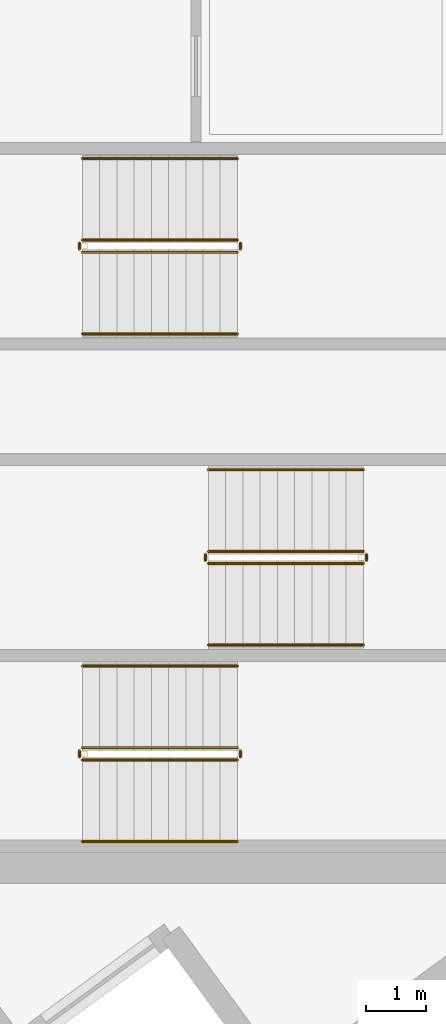
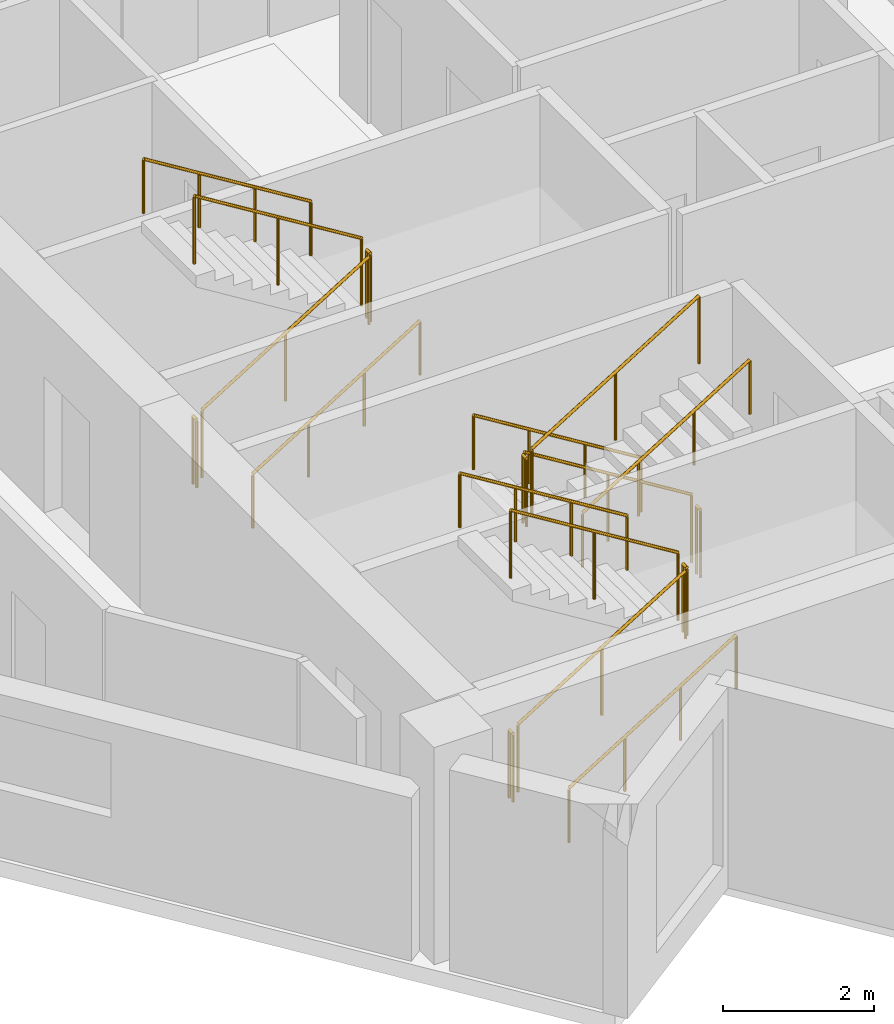
# One storey, part 13 of 14: 18 railings.
"""IFC4 building model written with IfcOpenShell, lengths in metres."""

import ifcopenshell
import ifcopenshell.guid

model = None  # the IFC model being written
_history = None  # IfcOwnerHistory: only IFC2X3 demands one
_inside = {}  # id of a spatial element -> (the spatial element, [elements in it])
_under = {}  # id of a project, library or spatial element -> (it, [spatial elements below it])
_declared = {}  # id of a project -> (the project, [libraries it declares])
_typed = {}  # id of a type object -> (the type object, [elements of that type])
_made_of = {}  # id of a material, layer set ... -> (it, [elements and type objects made of it])


def new_model(schema):
    """Start an empty IFC model of exactly this schema.

    Asked for "IFC4X3", IfcOpenShell would pick the latest addendum, in which some entities
    have other attributes; the version numbers below select the first issue.
    IFC2X3 requires an IfcOwnerHistory on every rooted entity: one is made here for all.
    """
    global model, _history
    if schema == "IFC4X3":
        model = ifcopenshell.file(schema_version=(4, 3, 0, 0))
    else:
        model = ifcopenshell.file(schema=schema)
    _inside.clear()
    _under.clear()
    _declared.clear()
    _typed.clear()
    _made_of.clear()
    _history = None
    if model.schema == "IFC2X3":
        org = make("IfcOrganization", Name="unknown")
        user = make(
            "IfcPersonAndOrganization",
            ThePerson=make("IfcPerson", FamilyName="unknown"),
            TheOrganization=org,
        )
        app = make(
            "IfcApplication",
            ApplicationDeveloper=org,
            Version="unknown",
            ApplicationFullName="unknown",
            ApplicationIdentifier="unknown",
        )
        _history = make(
            "IfcOwnerHistory",
            OwningUser=user,
            OwningApplication=app,
            ChangeAction="ADDED",
            CreationDate=0,
        )
    return model


def make(cls, **values):
    """One entity of the class cls with the attributes given. An attribute that is None is left unset."""
    return model.create_entity(
        cls, **{name: value for name, value in values.items() if value is not None}
    )


def rooted(cls, **values):
    """An entity with a GlobalId (a new one), such as an element, a storey or a relation."""
    return make(cls, GlobalId=ifcopenshell.guid.new(), OwnerHistory=_history, **values)


def si_unit(unit_type, name, prefix=None):
    """IfcSIUnit, for example si_unit("LENGTHUNIT", "METRE", prefix="MILLI")."""
    return make("IfcSIUnit", UnitType=unit_type, Prefix=prefix, Name=name)


def assignment(units):
    """IfcUnitAssignment: the units of a project."""
    return None if units is None else make("IfcUnitAssignment", Units=units)


def point(xyz):
    """IfcCartesianPoint."""
    return None if xyz is None else make("IfcCartesianPoint", Coordinates=xyz)


def direction(xyz):
    """IfcDirection."""
    return None if xyz is None else make("IfcDirection", DirectionRatios=xyz)


def frame(location, z_axis=None, x_axis=None):
    """IfcAxis2Placement3D, a coordinate frame: its origin and axes. An axis left out is left unset."""
    return make(
        "IfcAxis2Placement3D",
        Location=point(location),
        Axis=direction(z_axis),
        RefDirection=direction(x_axis),
    )


def frame_2d(location, x_axis=None):
    """IfcAxis2Placement2D, a coordinate frame in the plane: its origin and x axis."""
    return make(
        "IfcAxis2Placement2D", Location=point(location), RefDirection=direction(x_axis)
    )


def origin():
    """The frame at (0, 0, 0) with its axes left unset."""
    return frame((0.0, 0.0, 0.0))


def origin_2d():
    """The frame at (0, 0) in the plane with its x axis left unset."""
    return frame_2d((0.0, 0.0))


def place(relative_to, where):
    """IfcLocalPlacement: puts the frame where relative to a parent placement (None: the world)."""
    return make(
        "IfcLocalPlacement", PlacementRelTo=relative_to, RelativePlacement=where
    )


def context(
    kind, dimensions, precision=None, world=None, true_north=None, identifier=None
):
    """IfcGeometricRepresentationContext, for example the 3D "Model" context."""
    return make(
        "IfcGeometricRepresentationContext",
        ContextIdentifier=identifier,
        ContextType=kind,
        CoordinateSpaceDimension=dimensions,
        Precision=precision,
        WorldCoordinateSystem=world,
        TrueNorth=true_north,
    )


def subcontext(parent, identifier, kind, view, scale=None):
    """IfcGeometricRepresentationSubContext, for example "Body" below "Model"."""
    return make(
        "IfcGeometricRepresentationSubContext",
        ContextIdentifier=identifier,
        ContextType=kind,
        ParentContext=parent,
        TargetScale=scale,
        TargetView=view,
    )


def project(units=None, contexts=None):
    """IfcProject with its units and contexts."""
    return rooted(
        "IfcProject",
        Name="project",
        RepresentationContexts=contexts,
        UnitsInContext=assignment(units),
    )


def spatial(cls, under=None, at=None, **own):
    """A site, building, storey or space (cls), placed at a placement, below another one or the project."""
    s = rooted(cls, ObjectPlacement=at, **own)
    if under is not None:
        _under.setdefault(under.id(), (under, []))[1].append(s)
    return s


def profile(cls, at=None, kind="AREA", **sizes):
    """A parametric profile (cls). Its sizes go by their IFC names, for example OverallWidth=200.0."""
    return make(cls, ProfileType=kind, Position=at, **sizes)


def circle(**sizes):
    """IfcCircleProfileDef."""
    return profile("IfcCircleProfileDef", **sizes)


def extrude(swept, where, along, depth):
    """IfcExtrudedAreaSolid: the profile swept, set in the frame where, extruded along a direction by depth."""
    return make(
        "IfcExtrudedAreaSolid",
        SweptArea=swept,
        Position=where,
        ExtrudedDirection=direction(along),
        Depth=depth,
    )


def shape(context_of_items, identifier, shape_type, items):
    """IfcShapeRepresentation: the items that make up one representation, for example the "Body"."""
    return make(
        "IfcShapeRepresentation",
        ContextOfItems=context_of_items,
        RepresentationIdentifier=identifier,
        RepresentationType=shape_type,
        Items=items,
    )


def material(Name=None, Category=None):
    """IfcMaterial."""
    return make("IfcMaterial", Name=Name, Category=Category)


def made_of(thing, what):
    """Note that an element or type object is made of a material, layer set ...; save() writes the relation."""
    if what is not None:
        _made_of.setdefault(what.id(), (what, []))[1].append(thing)
    return thing


def type_object(cls, material=None, **own):
    """A type object (cls), such as IfcWallType, which elements share."""
    return made_of(rooted(cls, **own), material)


def element(
    cls,
    number,
    at=None,
    inside=None,
    cuts=None,
    type_object=None,
    material=None,
    context=None,
    identifier="Body",
    shape_type=None,
    held_by="IfcProductDefinitionShape",
    body=None,
    shapes=None,
    **own,
):
    """One element of the class cls, such as IfcWall. Its Tag is "e" and its number.

    at: its placement. inside: the storey or other place that contains it. cuts: it is an
    opening in that element (IfcRelVoidsElement). A single representation is given by context,
    identifier, shape_type and body (its items); several are given by shapes. held_by: the class
    of the entity that holds the representations. save() writes the other relations.
    """
    e = rooted(cls, Tag="e%d" % number, ObjectPlacement=at, **own)
    if body is not None:
        shapes = [shape(context, identifier, shape_type, body)]
    if shapes is not None:
        e.Representation = make(held_by, Representations=shapes)
    if inside is not None:
        _inside.setdefault(inside.id(), (inside, []))[1].append(e)
    if cuts is not None:
        rooted(
            "IfcRelVoidsElement", RelatingBuildingElement=cuts, RelatedOpeningElement=e
        )
    if type_object is not None:
        _typed.setdefault(type_object.id(), (type_object, []))[1].append(e)
    return made_of(e, material)


def aggregate(whole, parts):
    """IfcRelAggregates: a whole, such as a stair, and the parts it consists of."""
    return rooted("IfcRelAggregates", RelatingObject=whole, RelatedObjects=parts)


def save(model, path):
    """Write the relations noted so far, then the file.

    IfcRelAggregates (storeys below a building ...), IfcRelContainedInSpatialStructure (elements
    in a storey), IfcRelDefinesByType, IfcRelAssociatesMaterial and IfcRelDeclares: one each for
    every whole, place, type object, material and project.
    """
    for whole, parts in _under.values():
        aggregate(whole, parts)
    for where, things in _inside.values():
        rooted(
            "IfcRelContainedInSpatialStructure",
            RelatedElements=things,
            RelatingStructure=where,
        )
    for kind, things in _typed.values():
        rooted("IfcRelDefinesByType", RelatedObjects=things, RelatingType=kind)
    for what, things in _made_of.values():
        rooted("IfcRelAssociatesMaterial", RelatedObjects=things, RelatingMaterial=what)
    for by, libraries in _declared.values():
        rooted("IfcRelDeclares", RelatingContext=by, RelatedDefinitions=libraries)
    model.write(path)


model = new_model("IFC4")

# Units and contexts
model_context = context("Model", 3, precision=1e-05, world=origin(), true_north=direction((0.0, 1.0)))
body_context = subcontext(model_context, "Body", "Model", "MODEL_VIEW")
ifc_project = project(units=[si_unit("LENGTHUNIT", "METRE"), si_unit("AREAUNIT", "SQUARE_METRE"), si_unit("VOLUMEUNIT", "CUBIC_METRE"), si_unit("PLANEANGLEUNIT", "RADIAN"), si_unit("MASSUNIT", "GRAM", prefix="KILO")], contexts=[model_context])

# Site, building, storey
site_placement = place(None, origin())
site = spatial("IfcSite", under=ifc_project, at=site_placement, CompositionType="ELEMENT")
building_placement = place(site_placement, origin())
building = spatial("IfcBuilding", under=site, at=building_placement, Name="Narakoshi Arena Tower", CompositionType="ELEMENT")
storey_placement = place(building_placement, frame((0.0, 0.0, 236.10009765625)))
storey = spatial("IfcBuildingStorey", under=building, at=storey_placement, Name="L64", CompositionType="ELEMENT", Elevation=236.10009765625)

# Railings
ifc_material_1 = material(Name="Clear low-iron laminated structural glass", Category="glass")
railing_type_1 = type_object("IfcRailingType", Name="RL-BAL-1100", PredefinedType="BALUSTRADE", material=ifc_material_1)
railing_1_placement = place(storey_placement, frame((74.39990234375, 36.949951171875, 0.17578125)))
element("IfcRailing", 1, at=railing_1_placement, inside=storey, type_object=railing_type_1, Name="L64 ST1 stair guard 1", PredefinedType="BALUSTRADE", context=body_context, shape_type="SweptSolid", body=[
    extrude(circle(Radius=0.02392578125, at=origin_2d()), frame((0.0, 0.0, 1.09619140625), z_axis=(0.850820357671, 0.0, 0.52545667659), x_axis=(0.0, 1.0, 0.0)), (0.0, 0.0, 1.0), 3.014892578125),
    extrude(circle(Radius=0.02099609375, at=origin_2d()), origin(), (0.0, 0.0, 1.0), 1.072021484375),
    extrude(circle(Radius=0.02099609375, at=origin_2d()), frame((1.28271484375, 0.0, 0.7919921875)), (0.0, 0.0, 1.0), 1.072021484375),
    extrude(circle(Radius=0.02099609375, at=origin_2d()), frame((2.565185546875, 0.0, 1.584228515625)), (0.0, 0.0, 1.0), 1.072021484375),
])
railing_2_placement = place(storey_placement, frame((77.014892578125, 37.0, 1.760009765625)))
element("IfcRailing", 2, at=railing_2_placement, inside=storey, type_object=railing_type_1, Name="L64 ST1 stair guard 2", PredefinedType="BALUSTRADE", context=body_context, shape_type="SweptSolid", body=[
    extrude(circle(Radius=0.02392578125, at=origin_2d()), frame((0.0, 0.0, 1.09619140625), z_axis=(0.0, 1.0, 0.0), x_axis=(-1.0, 0.0, 0.0)), (0.0, 0.0, 1.0), 0.10009765625),
    extrude(circle(Radius=0.02099609375, at=origin_2d()), origin(), (0.0, 0.0, 1.0), 1.072021484375),
    extrude(circle(Radius=0.02099609375, at=origin_2d()), frame((0.0, 0.10009765625, 0.0)), (0.0, 0.0, 1.0), 1.072021484375),
])
railing_3_placement = place(storey_placement, frame((76.965087890625, 37.14990234375, 1.935791015625)))
element("IfcRailing", 3, at=railing_3_placement, inside=storey, type_object=railing_type_1, Name="L64 ST1 stair guard 3", PredefinedType="BALUSTRADE", context=body_context, shape_type="SweptSolid", body=[
    extrude(circle(Radius=0.02392578125, at=origin_2d()), frame((0.0, 0.0, 1.09619140625), z_axis=(-0.850820357671, 0.0, 0.52545667659), x_axis=(0.0, -1.0, 0.0)), (0.0, 0.0, 1.0), 3.014892578125),
    extrude(circle(Radius=0.02099609375, at=origin_2d()), origin(), (0.0, 0.0, 1.0), 1.072021484375),
    extrude(circle(Radius=0.02099609375, at=origin_2d()), frame((-1.28271484375, 0.0, 0.7919921875)), (0.0, 0.0, 1.0), 1.072021484375),
    extrude(circle(Radius=0.02099609375, at=origin_2d()), frame((-2.565185546875, 0.0, 1.584228515625)), (0.0, 0.0, 1.0), 1.072021484375),
])
railing_4_placement = place(storey_placement, frame((74.35009765625, 37.0, 0.0)))
element("IfcRailing", 4, at=railing_4_placement, inside=storey, type_object=railing_type_1, Name="L64 ST1 stair guard 4", PredefinedType="BALUSTRADE", context=body_context, shape_type="SweptSolid", body=[
    extrude(circle(Radius=0.02392578125, at=origin_2d()), frame((0.0, 0.0, 1.09619140625), z_axis=(0.0, 1.0, 0.0), x_axis=(-1.0, 0.0, 0.0)), (0.0, 0.0, 1.0), 0.10009765625),
    extrude(circle(Radius=0.02099609375, at=origin_2d()), origin(), (0.0, 0.0, 1.0), 1.072021484375),
    extrude(circle(Radius=0.02099609375, at=origin_2d()), frame((0.0, 0.10009765625, 0.0)), (0.0, 0.0, 1.0), 1.072021484375),
])
railing_5_placement = place(storey_placement, frame((79.050048828125, 40.39990234375, 0.17578125)))
element("IfcRailing", 5, at=railing_5_placement, inside=storey, type_object=railing_type_1, Name="L64 ST2 stair guard 1", PredefinedType="BALUSTRADE", context=body_context, shape_type="SweptSolid", body=[
    extrude(circle(Radius=0.02392578125, at=origin_2d()), frame((0.0, 0.0, 1.09619140625), z_axis=(-0.850797997359, 0.0, 0.525492880722), x_axis=(0.0, -1.0, 0.0)), (0.0, 0.0, 1.0), 3.0146484375),
    extrude(circle(Radius=0.02099609375, at=origin_2d()), origin(), (0.0, 0.0, 1.0), 1.072021484375),
    extrude(circle(Radius=0.02099609375, at=origin_2d()), frame((-1.282470703125, 0.0, 0.7919921875)), (0.0, 0.0, 1.0), 1.072021484375),
    extrude(circle(Radius=0.02099609375, at=origin_2d()), frame((-2.56494140625, 0.0, 1.584228515625)), (0.0, 0.0, 1.0), 1.072021484375),
])
railing_6_placement = place(storey_placement, frame((76.43505859375, 40.35009765625, 1.760009765625)))
element("IfcRailing", 6, at=railing_6_placement, inside=storey, type_object=railing_type_1, Name="L64 ST2 stair guard 2", PredefinedType="BALUSTRADE", context=body_context, shape_type="SweptSolid", body=[
    extrude(circle(Radius=0.02392578125, at=origin_2d()), frame((0.0, 0.0, 1.09619140625), z_axis=(0.0, -1.0, 0.0), x_axis=(1.0, 0.0, 0.0)), (0.0, 0.0, 1.0), 0.10009765625),
    extrude(circle(Radius=0.02099609375, at=origin_2d()), origin(), (0.0, 0.0, 1.0), 1.072021484375),
    extrude(circle(Radius=0.02099609375, at=origin_2d()), frame((0.0, -0.10009765625, 0.0)), (0.0, 0.0, 1.0), 1.072021484375),
])
railing_7_placement = place(storey_placement, frame((76.485107421875, 40.199951171875, 1.935791015625)))
element("IfcRailing", 7, at=railing_7_placement, inside=storey, type_object=railing_type_1, Name="L64 ST2 stair guard 3", PredefinedType="BALUSTRADE", context=body_context, shape_type="SweptSolid", body=[
    extrude(circle(Radius=0.02392578125, at=origin_2d()), frame((0.0, 0.0, 1.09619140625), z_axis=(0.850797997359, 0.0, 0.525492880722), x_axis=(0.0, 1.0, 0.0)), (0.0, 0.0, 1.0), 3.0146484375),
    extrude(circle(Radius=0.02099609375, at=origin_2d()), origin(), (0.0, 0.0, 1.0), 1.072021484375),
    extrude(circle(Radius=0.02099609375, at=origin_2d()), frame((1.282470703125, 0.0, 0.7919921875)), (0.0, 0.0, 1.0), 1.072021484375),
    extrude(circle(Radius=0.02099609375, at=origin_2d()), frame((2.56494140625, 0.0, 1.584228515625)), (0.0, 0.0, 1.0), 1.072021484375),
])
railing_8_placement = place(storey_placement, frame((79.10009765625, 40.35009765625, 0.0)))
element("IfcRailing", 8, at=railing_8_placement, inside=storey, type_object=railing_type_1, Name="L64 ST2 stair guard 4", PredefinedType="BALUSTRADE", context=body_context, shape_type="SweptSolid", body=[
    extrude(circle(Radius=0.02392578125, at=origin_2d()), frame((0.0, 0.0, 1.09619140625), z_axis=(0.0, -1.0, 0.0), x_axis=(1.0, 0.0, 0.0)), (0.0, 0.0, 1.0), 0.10009765625),
    extrude(circle(Radius=0.02099609375, at=origin_2d()), origin(), (0.0, 0.0, 1.0), 1.072021484375),
    extrude(circle(Radius=0.02099609375, at=origin_2d()), frame((0.0, -0.10009765625, 0.0)), (0.0, 0.0, 1.0), 1.072021484375),
])
railing_9_placement = place(storey_placement, frame((74.39990234375, 45.35009765625, 0.17578125)))
element("IfcRailing", 9, at=railing_9_placement, inside=storey, type_object=railing_type_1, Name="L64 ST3 stair guard 1", PredefinedType="BALUSTRADE", context=body_context, shape_type="SweptSolid", body=[
    extrude(circle(Radius=0.02392578125, at=origin_2d()), frame((0.0, 0.0, 1.09619140625), z_axis=(0.850820357671, 0.0, 0.52545667659), x_axis=(0.0, 1.0, 0.0)), (0.0, 0.0, 1.0), 3.014892578125),
    extrude(circle(Radius=0.02099609375, at=origin_2d()), origin(), (0.0, 0.0, 1.0), 1.072021484375),
    extrude(circle(Radius=0.02099609375, at=origin_2d()), frame((1.28271484375, 0.0, 0.7919921875)), (0.0, 0.0, 1.0), 1.072021484375),
    extrude(circle(Radius=0.02099609375, at=origin_2d()), frame((2.565185546875, 0.0, 1.584228515625)), (0.0, 0.0, 1.0), 1.072021484375),
])
railing_10_placement = place(storey_placement, frame((77.014892578125, 45.39990234375, 1.760009765625)))
element("IfcRailing", 10, at=railing_10_placement, inside=storey, type_object=railing_type_1, Name="L64 ST3 stair guard 2", PredefinedType="BALUSTRADE", context=body_context, shape_type="SweptSolid", body=[
    extrude(circle(Radius=0.02392578125, at=origin_2d()), frame((0.0, 0.0, 1.09619140625), z_axis=(0.0, 1.0, 0.0), x_axis=(-1.0, 0.0, 0.0)), (0.0, 0.0, 1.0), 0.10009765625),
    extrude(circle(Radius=0.02099609375, at=origin_2d()), origin(), (0.0, 0.0, 1.0), 1.072021484375),
    extrude(circle(Radius=0.02099609375, at=origin_2d()), frame((0.0, 0.10009765625, 0.0)), (0.0, 0.0, 1.0), 1.072021484375),
])
railing_11_placement = place(storey_placement, frame((76.965087890625, 45.550048828125, 1.935791015625)))
element("IfcRailing", 11, at=railing_11_placement, inside=storey, type_object=railing_type_1, Name="L64 ST3 stair guard 3", PredefinedType="BALUSTRADE", context=body_context, shape_type="SweptSolid", body=[
    extrude(circle(Radius=0.02392578125, at=origin_2d()), frame((0.0, 0.0, 1.09619140625), z_axis=(-0.850820357671, 0.0, 0.52545667659), x_axis=(0.0, -1.0, 0.0)), (0.0, 0.0, 1.0), 3.014892578125),
    extrude(circle(Radius=0.02099609375, at=origin_2d()), origin(), (0.0, 0.0, 1.0), 1.072021484375),
    extrude(circle(Radius=0.02099609375, at=origin_2d()), frame((-1.28271484375, 0.0, 0.7919921875)), (0.0, 0.0, 1.0), 1.072021484375),
    extrude(circle(Radius=0.02099609375, at=origin_2d()), frame((-2.565185546875, 0.0, 1.584228515625)), (0.0, 0.0, 1.0), 1.072021484375),
])
railing_12_placement = place(storey_placement, frame((74.35009765625, 45.39990234375, 0.0)))
element("IfcRailing", 12, at=railing_12_placement, inside=storey, type_object=railing_type_1, Name="L64 ST3 stair guard 4", PredefinedType="BALUSTRADE", context=body_context, shape_type="SweptSolid", body=[
    extrude(circle(Radius=0.02392578125, at=origin_2d()), frame((0.0, 0.0, 1.09619140625), z_axis=(0.0, 1.0, 0.0), x_axis=(-1.0, 0.0, 0.0)), (0.0, 0.0, 1.0), 0.10009765625),
    extrude(circle(Radius=0.02099609375, at=origin_2d()), origin(), (0.0, 0.0, 1.0), 1.072021484375),
    extrude(circle(Radius=0.02099609375, at=origin_2d()), frame((0.0, 0.10009765625, 0.0)), (0.0, 0.0, 1.0), 1.072021484375),
])
ifc_material_2 = material(Name="Brushed bronze stainless steel", Category="steel")
railing_type_2 = type_object("IfcRailingType", Name="RL-HND-900", PredefinedType="HANDRAIL", material=ifc_material_2)
railing_13_placement = place(storey_placement, frame((74.39990234375, 35.60009765625, 0.17578125)))
element("IfcRailing", 13, at=railing_13_placement, inside=storey, type_object=railing_type_2, Name="L64 ST1 stair handrail 1", PredefinedType="HANDRAIL", context=body_context, shape_type="SweptSolid", body=[
    extrude(circle(Radius=0.02392578125, at=origin_2d()), frame((0.0, 0.0, 0.8759765625), z_axis=(0.850820357671, 0.0, 0.52545667659), x_axis=(0.0, 1.0, 0.0)), (0.0, 0.0, 1.0), 3.014892578125),
    extrude(circle(Radius=0.02099609375, at=origin_2d()), origin(), (0.0, 0.0, 1.0), 0.851806640625),
    extrude(circle(Radius=0.02099609375, at=origin_2d()), frame((0.85498046875, 0.0, 0.528076171875)), (0.0, 0.0, 1.0), 0.851806640625),
    extrude(circle(Radius=0.02099609375, at=origin_2d()), frame((1.710205078125, 0.0, 1.05615234375)), (0.0, 0.0, 1.0), 0.851806640625),
    extrude(circle(Radius=0.02099609375, at=origin_2d()), frame((2.565185546875, 0.0, 1.584228515625)), (0.0, 0.0, 1.0), 0.851806640625),
])
railing_14_placement = place(storey_placement, frame((76.965087890625, 38.5, 1.935791015625)))
element("IfcRailing", 14, at=railing_14_placement, inside=storey, type_object=railing_type_2, Name="L64 ST1 stair handrail 2", PredefinedType="HANDRAIL", context=body_context, shape_type="SweptSolid", body=[
    extrude(circle(Radius=0.02392578125, at=origin_2d()), frame((0.0, 0.0, 0.8759765625), z_axis=(-0.850820357671, 0.0, 0.52545667659), x_axis=(0.0, -1.0, 0.0)), (0.0, 0.0, 1.0), 3.014892578125),
    extrude(circle(Radius=0.02099609375, at=origin_2d()), origin(), (0.0, 0.0, 1.0), 0.851806640625),
    extrude(circle(Radius=0.02099609375, at=origin_2d()), frame((-0.85498046875, 0.0, 0.528076171875)), (0.0, 0.0, 1.0), 0.851806640625),
    extrude(circle(Radius=0.02099609375, at=origin_2d()), frame((-1.710205078125, 0.0, 1.05615234375)), (0.0, 0.0, 1.0), 0.851806640625),
    extrude(circle(Radius=0.02099609375, at=origin_2d()), frame((-2.565185546875, 0.0, 1.584228515625)), (0.0, 0.0, 1.0), 0.851806640625),
])
railing_15_placement = place(storey_placement, frame((79.050048828125, 41.75, 0.17578125)))
element("IfcRailing", 15, at=railing_15_placement, inside=storey, type_object=railing_type_2, Name="L64 ST2 stair handrail 1", PredefinedType="HANDRAIL", context=body_context, shape_type="SweptSolid", body=[
    extrude(circle(Radius=0.02392578125, at=origin_2d()), frame((0.0, 0.0, 0.8759765625), z_axis=(-0.850797997359, 0.0, 0.525492880722), x_axis=(0.0, -1.0, 0.0)), (0.0, 0.0, 1.0), 3.0146484375),
    extrude(circle(Radius=0.02099609375, at=origin_2d()), origin(), (0.0, 0.0, 1.0), 0.851806640625),
    extrude(circle(Radius=0.02099609375, at=origin_2d()), frame((-0.85498046875, 0.0, 0.528076171875)), (0.0, 0.0, 1.0), 0.851806640625),
    extrude(circle(Radius=0.02099609375, at=origin_2d()), frame((-1.7099609375, 0.0, 1.05615234375)), (0.0, 0.0, 1.0), 0.851806640625),
    extrude(circle(Radius=0.02099609375, at=origin_2d()), frame((-2.56494140625, 0.0, 1.584228515625)), (0.0, 0.0, 1.0), 0.851806640625),
])
railing_16_placement = place(storey_placement, frame((76.485107421875, 38.85009765625, 1.935791015625)))
element("IfcRailing", 16, at=railing_16_placement, inside=storey, type_object=railing_type_2, Name="L64 ST2 stair handrail 2", PredefinedType="HANDRAIL", context=body_context, shape_type="SweptSolid", body=[
    extrude(circle(Radius=0.02392578125, at=origin_2d()), frame((0.0, 0.0, 0.8759765625), z_axis=(0.850797997359, 0.0, 0.525492880722), x_axis=(0.0, 1.0, 0.0)), (0.0, 0.0, 1.0), 3.0146484375),
    extrude(circle(Radius=0.02099609375, at=origin_2d()), origin(), (0.0, 0.0, 1.0), 0.851806640625),
    extrude(circle(Radius=0.02099609375, at=origin_2d()), frame((0.85498046875, 0.0, 0.528076171875)), (0.0, 0.0, 1.0), 0.851806640625),
    extrude(circle(Radius=0.02099609375, at=origin_2d()), frame((1.7099609375, 0.0, 1.05615234375)), (0.0, 0.0, 1.0), 0.851806640625),
    extrude(circle(Radius=0.02099609375, at=origin_2d()), frame((2.56494140625, 0.0, 1.584228515625)), (0.0, 0.0, 1.0), 0.851806640625),
])
railing_17_placement = place(storey_placement, frame((74.39990234375, 44.0, 0.17578125)))
element("IfcRailing", 17, at=railing_17_placement, inside=storey, type_object=railing_type_2, Name="L64 ST3 stair handrail 1", PredefinedType="HANDRAIL", context=body_context, shape_type="SweptSolid", body=[
    extrude(circle(Radius=0.02392578125, at=origin_2d()), frame((0.0, 0.0, 0.8759765625), z_axis=(0.850820357671, 0.0, 0.52545667659), x_axis=(0.0, 1.0, 0.0)), (0.0, 0.0, 1.0), 3.014892578125),
    extrude(circle(Radius=0.02099609375, at=origin_2d()), origin(), (0.0, 0.0, 1.0), 0.851806640625),
    extrude(circle(Radius=0.02099609375, at=origin_2d()), frame((0.85498046875, 0.0, 0.528076171875)), (0.0, 0.0, 1.0), 0.851806640625),
    extrude(circle(Radius=0.02099609375, at=origin_2d()), frame((1.710205078125, 0.0, 1.05615234375)), (0.0, 0.0, 1.0), 0.851806640625),
    extrude(circle(Radius=0.02099609375, at=origin_2d()), frame((2.565185546875, 0.0, 1.584228515625)), (0.0, 0.0, 1.0), 0.851806640625),
])
railing_18_placement = place(storey_placement, frame((76.965087890625, 46.89990234375, 1.935791015625)))
element("IfcRailing", 18, at=railing_18_placement, inside=storey, type_object=railing_type_2, Name="L64 ST3 stair handrail 2", PredefinedType="HANDRAIL", context=body_context, shape_type="SweptSolid", body=[
    extrude(circle(Radius=0.02392578125, at=origin_2d()), frame((0.0, 0.0, 0.8759765625), z_axis=(-0.850820357671, 0.0, 0.52545667659), x_axis=(0.0, -1.0, 0.0)), (0.0, 0.0, 1.0), 3.014892578125),
    extrude(circle(Radius=0.02099609375, at=origin_2d()), origin(), (0.0, 0.0, 1.0), 0.851806640625),
    extrude(circle(Radius=0.02099609375, at=origin_2d()), frame((-0.85498046875, 0.0, 0.528076171875)), (0.0, 0.0, 1.0), 0.851806640625),
    extrude(circle(Radius=0.02099609375, at=origin_2d()), frame((-1.710205078125, 0.0, 1.05615234375)), (0.0, 0.0, 1.0), 0.851806640625),
    extrude(circle(Radius=0.02099609375, at=origin_2d()), frame((-2.565185546875, 0.0, 1.584228515625)), (0.0, 0.0, 1.0), 0.851806640625),
])

save(model, "model.ifc")
